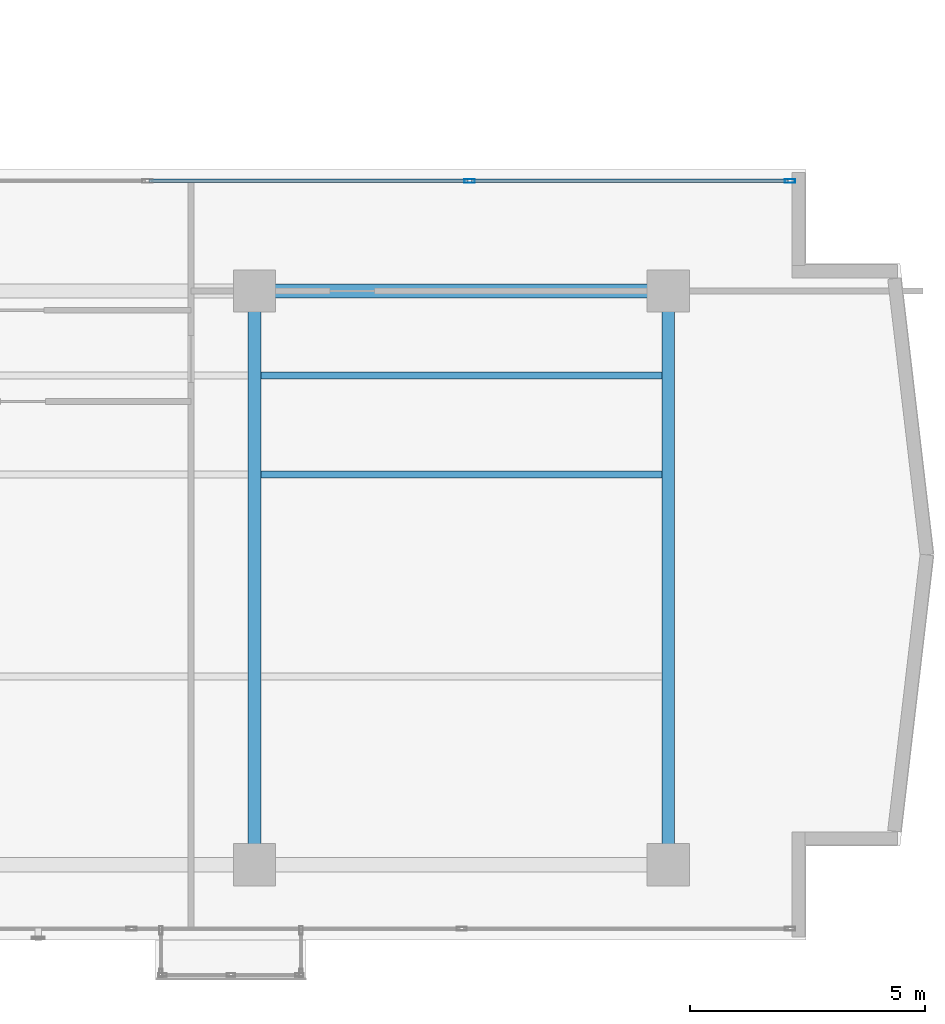
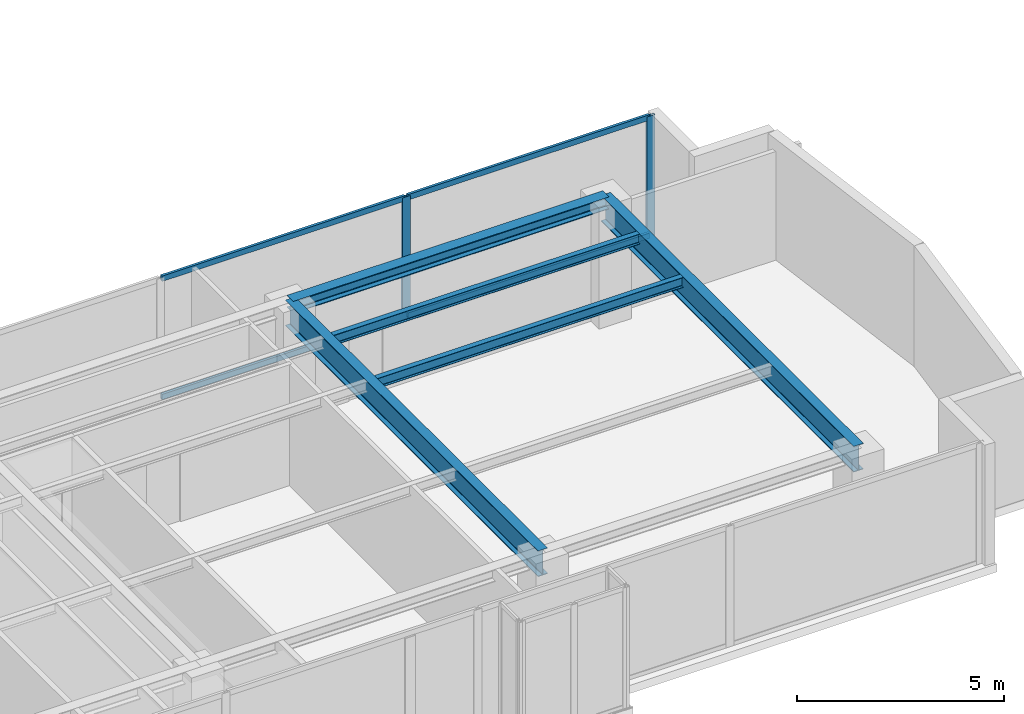
# One storey, part 12 of 23: 6 members, 5 beams, 1 element without a shape of its own.
"""IFC4 building model written with IfcOpenShell, lengths in metres."""

from ifc_helpers import new_model, si_unit, direction, frame, origin, origin_with_axes, origin_2d, place, context, subcontext, project, spatial, hollow_rectangle, i_section, extrude, source, transform, mapped, material, layer, layer_set, material_profile, profile_set, type_object, element, aggregate, save


model = new_model("IFC4")

# Units and contexts
model_context = context("Model", 3, precision=1e-05, world=origin(), true_north=direction((0.0, 1.0)))
body_context = subcontext(model_context, "Body", "Model", "MODEL_VIEW")
ifc_project = project(units=[si_unit("LENGTHUNIT", "METRE"), si_unit("AREAUNIT", "SQUARE_METRE"), si_unit("VOLUMEUNIT", "CUBIC_METRE"), si_unit("PLANEANGLEUNIT", "RADIAN"), si_unit("MASSUNIT", "GRAM", prefix="KILO")], contexts=[model_context])

# Site, building, storey
site_placement = place(None, origin())
site = spatial("IfcSite", under=ifc_project, at=site_placement, CompositionType="ELEMENT")
building_placement = place(site_placement, origin())
building = spatial("IfcBuilding", under=site, at=building_placement, Name="Kolvaren Waterfront Exchange", CompositionType="ELEMENT")
storey_placement = place(building_placement, frame((0.0, 0.0, 270.39990234375)))
storey = spatial("IfcBuildingStorey", under=building, at=storey_placement, Name="L69", CompositionType="ELEMENT", Elevation=270.39990234375)

# Beams
ifc_material_1 = material(Name="Steel S355", Category="steel")
ifc_material_profile_1 = material_profile(ifc_material_1, i_section(OverallWidth=0.300048828125, OverallDepth=0.360107421875, WebThickness=0.012451171875, FlangeThickness=0.0224609375, FilletRadius=0.027099609375, at=origin_2d()), Name="HEB360")
ifc_profile_set_1 = profile_set([ifc_material_profile_1], Name="Steel S355")
beam_type_1 = type_object("IfcBeamType", Name="STR-BM-HEB360", PredefinedType="SPANDREL", material=ifc_profile_set_1)
beam_placement = place(storey_placement, frame((36.800048828125, 17.39990234375, 3.380126953125), z_axis=(1.0, 0.0, 0.0), x_axis=(0.0, 1.0, 0.0)))
element("IfcBeam", 1, at=beam_placement, inside=storey, type_object=beam_type_1, Name="L69 east-arm spandrel N3", PredefinedType="SPANDREL", context=body_context, shape_type="SweptSolid", body=[
    extrude(i_section(OverallWidth=0.300048828125, OverallDepth=0.360107421875, WebThickness=0.012451171875, FlangeThickness=0.0224609375, FilletRadius=0.027099609375, at=origin_2d()), origin(), (0.0, 0.0, 1.0), 8.800048828125),
])
ifc_material_profile_2 = material_profile(ifc_material_1, i_section(OverallWidth=0.14990234375, OverallDepth=0.300048828125, WebThickness=0.007080078125, FlangeThickness=0.0107421875, FilletRadius=0.014892578125, at=origin_2d()), Name="IPE300")
ifc_profile_set_2 = profile_set([ifc_material_profile_2], Name="Steel S355")
beam_type_2 = type_object("IfcBeamType", Name="STR-BM-IPE300", PredefinedType="JOIST", material=ifc_profile_set_2)
for number, where, z_axis, x_axis, name in (
    (2, (36.935546875, 13.5, 3.41015625), (1.0, 0.0, 0.0), (0.0, 1.0, 0.0), "L69 east-arm composite joist 3A"),
    (3, (36.935546875, 15.60009765625, 3.41015625), (1.0, 0.0, 0.0), (0.0, 1.0, 0.0), "L69 east-arm composite joist 3C"),
):
    element("IfcBeam", number, at=place(storey_placement, frame(where, z_axis=z_axis, x_axis=x_axis)), inside=storey, type_object=beam_type_2, Name=name, PredefinedType="JOIST", context=body_context, shape_type="SweptSolid", body=[
        extrude(i_section(OverallWidth=0.14990234375, OverallDepth=0.300048828125, WebThickness=0.007080078125, FlangeThickness=0.0107421875, FilletRadius=0.014892578125, at=origin_2d()), origin(), (0.0, 0.0, 1.0), 8.529052734375),
    ])
ifc_material_profile_3 = material_profile(ifc_material_1, i_section(OverallWidth=0.26708984375, OverallDepth=0.761962890625, WebThickness=0.014404296875, FlangeThickness=0.021484375, FilletRadius=0.01708984375, at=origin_2d()), Name="IPE750x173")
ifc_profile_set_3 = profile_set([ifc_material_profile_3], Name="Steel S355")
beam_type_3 = type_object("IfcBeamType", Name="STR-BM-IPE750", PredefinedType="BEAM", material=ifc_profile_set_3)
for number, where, z_axis, x_axis, name in (
    (4, (36.800048828125, 5.199951171875, 3.17919921875), (0.0, 1.0, 0.0), (-1.0, 0.0, 0.0), "L69 east-arm transverse girder X36"),
    (5, (45.60009765625, 5.199951171875, 3.17919921875), (0.0, 1.0, 0.0), (-1.0, 0.0, 0.0), "L69 east-arm transverse girder X45"),
):
    element("IfcBeam", number, at=place(storey_placement, frame(where, z_axis=z_axis, x_axis=x_axis)), inside=storey, type_object=beam_type_3, Name=name, PredefinedType="BEAM", context=body_context, shape_type="SweptSolid", body=[
        extrude(i_section(OverallWidth=0.26708984375, OverallDepth=0.761962890625, WebThickness=0.014404296875, FlangeThickness=0.021484375, FilletRadius=0.01708984375, at=origin_2d()), origin(), (0.0, 0.0, 1.0), 12.199951171875),
    ])

# Curtain wall, members
ifc_material_2 = material(Name="Anodised bronze aluminium 6063-T6", Category="aluminium")
ifc_layer = layer(ifc_material_2, 0.219970703125, Name="Anodised bronze aluminium 6063-T6")
ifc_layer_set = layer_set([ifc_layer], Name="Anodised bronze aluminium 6063-T6")
curtain_wall_type = type_object("IfcCurtainWallType", Name="ARC-CW-SYS1", PredefinedType="USERDEFINED", material=ifc_layer_set)
curtain_wall_placement = place(storey_placement, origin())
curtain_wall = element("IfcCurtainWall", 6, at=curtain_wall_placement, inside=storey, type_object=curtain_wall_type, Name="L69 stick curtain wall CW1 (CW-L69-EN)", ObjectType="STICK CURTAIN WALL", PredefinedType="USERDEFINED")
ifc_material_3 = material(Name="Anodised aluminium 6063-T6", Category="aluminium")
ifc_material_profile_4 = material_profile(ifc_material_3, hollow_rectangle(XDim=0.080078125, YDim=0.219970703125, WallThickness=0.0048828125, at=origin_2d()), Name="ALU-MUL-220x80x5")
ifc_profile_set_4 = profile_set([ifc_material_profile_4], Name="Anodised aluminium 6063-T6")
member_type_1 = type_object("IfcMemberType", Name="ARC-CWM-220", PredefinedType="MULLION", material=ifc_profile_set_4)
shared_shape_1 = source(origin_with_axes(), body_context, "Body", "SweptSolid", [
    extrude(hollow_rectangle(XDim=0.080078125, YDim=0.219970703125, WallThickness=0.0048828125, at=origin_2d()), origin(), (0.0, 0.0, 1.0), 3.56005859375),
])
member_1_placement = place(storey_placement, frame((41.373779296875, 19.739013671875, 0.0), z_axis=(0.0, 0.0, 1.0), x_axis=(0.0, 1.0, 0.0)))
member_1 = element("IfcMember", 7, at=member_1_placement, type_object=member_type_1, Name="CW1 mullion 3", PredefinedType="MULLION", context=body_context, shape_type="MappedRepresentation", body=[
    mapped(shared_shape_1, transform((0.0, 0.0, 0.0), x_axis=(1.0, 0.0, 0.0), y_axis=(0.0, 1.0, 0.0), z_axis=(0.0, 0.0, 1.0), scale=1.0)),
])
member_2_placement = place(storey_placement, frame((48.186279296875, 19.739013671875, 0.0), z_axis=(0.0, 0.0, 1.0), x_axis=(0.0, 1.0, 0.0)))
member_2 = element("IfcMember", 8, at=member_2_placement, type_object=member_type_1, Name="CW1 mullion 4", PredefinedType="MULLION", context=body_context, shape_type="MappedRepresentation", body=[
    mapped(shared_shape_1, transform((0.0, 0.0, 0.0), x_axis=(1.0, 0.0, 0.0), y_axis=(0.0, 1.0, 0.0), z_axis=(0.0, 0.0, 1.0), scale=1.0)),
])
ifc_material_profile_5 = material_profile(ifc_material_3, hollow_rectangle(XDim=0.074951171875, YDim=0.159912109375, WallThickness=0.00439453125, at=origin_2d()), Name="ALU-TRN-160x75x4.5")
ifc_profile_set_5 = profile_set([ifc_material_profile_5], Name="Anodised aluminium 6063-T6")
member_type_2 = type_object("IfcMemberType", Name="ARC-CWT-160", PredefinedType="USERDEFINED", material=ifc_profile_set_5)
shared_shape_2 = source(origin_with_axes(), body_context, "Body", "SweptSolid", [
    extrude(hollow_rectangle(XDim=0.074951171875, YDim=0.159912109375, WallThickness=0.00439453125, at=origin_2d()), origin(), (0.0, 0.0, 1.0), 6.7724609375),
])
member_3_placement = place(storey_placement, frame((34.561279296875, 19.739013671875, 0.03759765625), z_axis=(1.0, 0.0, 0.0), x_axis=(0.0, 1.0, 0.0)))
member_3 = element("IfcMember", 9, at=member_3_placement, type_object=member_type_2, Name="CW1 transom 2.1", ObjectType="TRANSOM", PredefinedType="USERDEFINED", context=body_context, shape_type="MappedRepresentation", body=[
    mapped(shared_shape_2, transform((0.0, 0.0, 0.0), x_axis=(1.0, 0.0, 0.0), y_axis=(0.0, 1.0, 0.0), z_axis=(0.0, 0.0, 1.0), scale=1.0)),
])
member_4_placement = place(storey_placement, frame((34.561279296875, 19.739013671875, 3.522705078125), z_axis=(1.0, 0.0, 0.0), x_axis=(0.0, 1.0, 0.0)))
member_4 = element("IfcMember", 10, at=member_4_placement, type_object=member_type_2, Name="CW1 transom 2.2", ObjectType="TRANSOM", PredefinedType="USERDEFINED", context=body_context, shape_type="MappedRepresentation", body=[
    mapped(shared_shape_2, transform((0.0, 0.0, 0.0), x_axis=(1.0, 0.0, 0.0), y_axis=(0.0, 1.0, 0.0), z_axis=(0.0, 0.0, 1.0), scale=1.0)),
])
shared_shape_3 = source(origin_with_axes(), body_context, "Body", "SweptSolid", [
    extrude(hollow_rectangle(XDim=0.074951171875, YDim=0.159912109375, WallThickness=0.00439453125, at=origin_2d()), origin(), (0.0, 0.0, 1.0), 6.732421875),
])
member_5_placement = place(storey_placement, frame((41.413818359375, 19.739013671875, 0.03759765625), z_axis=(1.0, 0.0, 0.0), x_axis=(0.0, 1.0, 0.0)))
member_5 = element("IfcMember", 11, at=member_5_placement, type_object=member_type_2, Name="CW1 transom 3.1", ObjectType="TRANSOM", PredefinedType="USERDEFINED", context=body_context, shape_type="MappedRepresentation", body=[
    mapped(shared_shape_3, transform((0.0, 0.0, 0.0), x_axis=(1.0, 0.0, 0.0), y_axis=(0.0, 1.0, 0.0), z_axis=(0.0, 0.0, 1.0), scale=1.0)),
])
member_6_placement = place(storey_placement, frame((41.413818359375, 19.739013671875, 3.522705078125), z_axis=(1.0, 0.0, 0.0), x_axis=(0.0, 1.0, 0.0)))
member_6 = element("IfcMember", 12, at=member_6_placement, type_object=member_type_2, Name="CW1 transom 3.2", ObjectType="TRANSOM", PredefinedType="USERDEFINED", context=body_context, shape_type="MappedRepresentation", body=[
    mapped(shared_shape_3, transform((0.0, 0.0, 0.0), x_axis=(1.0, 0.0, 0.0), y_axis=(0.0, 1.0, 0.0), z_axis=(0.0, 0.0, 1.0), scale=1.0)),
])
aggregate(curtain_wall, [member_1, member_2, member_3, member_4, member_5, member_6])

save(model, "model.ifc")
